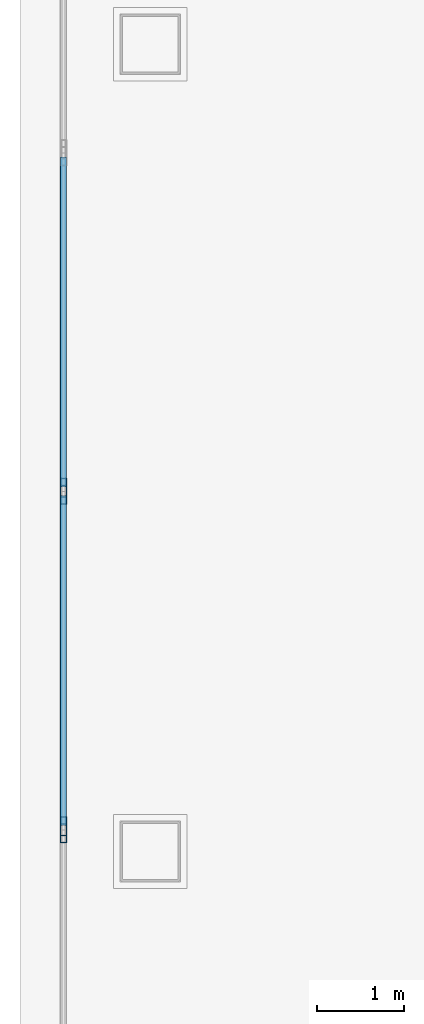
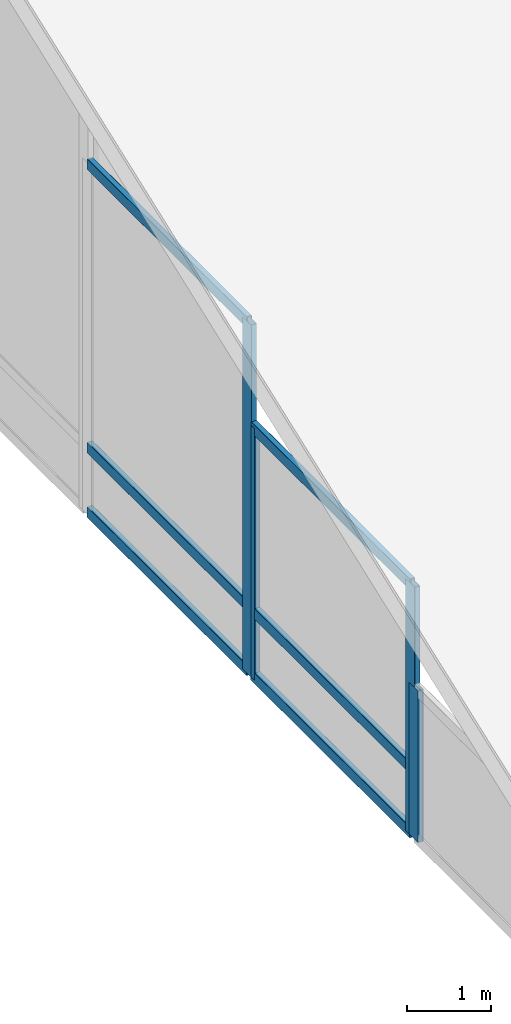
# One storey, part 4 of 12: 10 members, 3 elements without a shape of their own.
"""IFC4 building model written with IfcOpenShell, lengths in metres."""

import ifcopenshell
import ifcopenshell.guid

model = None  # the IFC model being written
_history = None  # IfcOwnerHistory: only IFC2X3 demands one
_inside = {}  # id of a spatial element -> (the spatial element, [elements in it])
_under = {}  # id of a project, library or spatial element -> (it, [spatial elements below it])
_declared = {}  # id of a project -> (the project, [libraries it declares])
_typed = {}  # id of a type object -> (the type object, [elements of that type])
_made_of = {}  # id of a material, layer set ... -> (it, [elements and type objects made of it])


def new_model(schema):
    """Start an empty IFC model of exactly this schema.

    Asked for "IFC4X3", IfcOpenShell would pick the latest addendum, in which some entities
    have other attributes; the version numbers below select the first issue.
    IFC2X3 requires an IfcOwnerHistory on every rooted entity: one is made here for all.
    """
    global model, _history
    if schema == "IFC4X3":
        model = ifcopenshell.file(schema_version=(4, 3, 0, 0))
    else:
        model = ifcopenshell.file(schema=schema)
    _inside.clear()
    _under.clear()
    _declared.clear()
    _typed.clear()
    _made_of.clear()
    _history = None
    if model.schema == "IFC2X3":
        org = make("IfcOrganization", Name="unknown")
        user = make(
            "IfcPersonAndOrganization",
            ThePerson=make("IfcPerson", FamilyName="unknown"),
            TheOrganization=org,
        )
        app = make(
            "IfcApplication",
            ApplicationDeveloper=org,
            Version="unknown",
            ApplicationFullName="unknown",
            ApplicationIdentifier="unknown",
        )
        _history = make(
            "IfcOwnerHistory",
            OwningUser=user,
            OwningApplication=app,
            ChangeAction="ADDED",
            CreationDate=0,
        )
    return model


def make(cls, **values):
    """One entity of the class cls with the attributes given. An attribute that is None is left unset."""
    return model.create_entity(
        cls, **{name: value for name, value in values.items() if value is not None}
    )


def rooted(cls, **values):
    """An entity with a GlobalId (a new one), such as an element, a storey or a relation."""
    return make(cls, GlobalId=ifcopenshell.guid.new(), OwnerHistory=_history, **values)


def si_unit(unit_type, name, prefix=None):
    """IfcSIUnit, for example si_unit("LENGTHUNIT", "METRE", prefix="MILLI")."""
    return make("IfcSIUnit", UnitType=unit_type, Prefix=prefix, Name=name)


def assignment(units):
    """IfcUnitAssignment: the units of a project."""
    return None if units is None else make("IfcUnitAssignment", Units=units)


def point(xyz):
    """IfcCartesianPoint."""
    return None if xyz is None else make("IfcCartesianPoint", Coordinates=xyz)


def direction(xyz):
    """IfcDirection."""
    return None if xyz is None else make("IfcDirection", DirectionRatios=xyz)


def frame(location, z_axis=None, x_axis=None):
    """IfcAxis2Placement3D, a coordinate frame: its origin and axes. An axis left out is left unset."""
    return make(
        "IfcAxis2Placement3D",
        Location=point(location),
        Axis=direction(z_axis),
        RefDirection=direction(x_axis),
    )


def frame_2d(location, x_axis=None):
    """IfcAxis2Placement2D, a coordinate frame in the plane: its origin and x axis."""
    return make(
        "IfcAxis2Placement2D", Location=point(location), RefDirection=direction(x_axis)
    )


def origin():
    """The frame at (0, 0, 0) with its axes left unset."""
    return frame((0.0, 0.0, 0.0))


def origin_2d():
    """The frame at (0, 0) in the plane with its x axis left unset."""
    return frame_2d((0.0, 0.0))


def place(relative_to, where):
    """IfcLocalPlacement: puts the frame where relative to a parent placement (None: the world)."""
    return make(
        "IfcLocalPlacement", PlacementRelTo=relative_to, RelativePlacement=where
    )


def context(
    kind, dimensions, precision=None, world=None, true_north=None, identifier=None
):
    """IfcGeometricRepresentationContext, for example the 3D "Model" context."""
    return make(
        "IfcGeometricRepresentationContext",
        ContextIdentifier=identifier,
        ContextType=kind,
        CoordinateSpaceDimension=dimensions,
        Precision=precision,
        WorldCoordinateSystem=world,
        TrueNorth=true_north,
    )


def subcontext(parent, identifier, kind, view, scale=None):
    """IfcGeometricRepresentationSubContext, for example "Body" below "Model"."""
    return make(
        "IfcGeometricRepresentationSubContext",
        ContextIdentifier=identifier,
        ContextType=kind,
        ParentContext=parent,
        TargetScale=scale,
        TargetView=view,
    )


def project(units=None, contexts=None):
    """IfcProject with its units and contexts."""
    return rooted(
        "IfcProject",
        Name="project",
        RepresentationContexts=contexts,
        UnitsInContext=assignment(units),
    )


def spatial(cls, under=None, at=None, **own):
    """A site, building, storey or space (cls), placed at a placement, below another one or the project."""
    s = rooted(cls, ObjectPlacement=at, **own)
    if under is not None:
        _under.setdefault(under.id(), (under, []))[1].append(s)
    return s


def profile(cls, at=None, kind="AREA", **sizes):
    """A parametric profile (cls). Its sizes go by their IFC names, for example OverallWidth=200.0."""
    return make(cls, ProfileType=kind, Position=at, **sizes)


def hollow_rectangle(**sizes):
    """IfcRectangleHollowProfileDef."""
    return profile("IfcRectangleHollowProfileDef", **sizes)


def extrude(swept, where, along, depth):
    """IfcExtrudedAreaSolid: the profile swept, set in the frame where, extruded along a direction by depth."""
    return make(
        "IfcExtrudedAreaSolid",
        SweptArea=swept,
        Position=where,
        ExtrudedDirection=direction(along),
        Depth=depth,
    )


def shape(context_of_items, identifier, shape_type, items):
    """IfcShapeRepresentation: the items that make up one representation, for example the "Body"."""
    return make(
        "IfcShapeRepresentation",
        ContextOfItems=context_of_items,
        RepresentationIdentifier=identifier,
        RepresentationType=shape_type,
        Items=items,
    )


def material(Name=None, Category=None):
    """IfcMaterial."""
    return make("IfcMaterial", Name=Name, Category=Category)


def material_profile(
    of_material, cross_section, Name=None, Category=None, Priority=None
):
    """IfcMaterialProfile: a cross section and its material."""
    return make(
        "IfcMaterialProfile",
        Name=Name,
        Material=of_material,
        Profile=cross_section,
        Priority=Priority,
        Category=Category,
    )


def profile_set(profiles, Name=None, composite=None):
    """IfcMaterialProfileSet."""
    return make(
        "IfcMaterialProfileSet",
        Name=Name,
        MaterialProfiles=profiles,
        CompositeProfile=composite,
    )


def made_of(thing, what):
    """Note that an element or type object is made of a material, layer set ...; save() writes the relation."""
    if what is not None:
        _made_of.setdefault(what.id(), (what, []))[1].append(thing)
    return thing


def type_object(cls, material=None, **own):
    """A type object (cls), such as IfcWallType, which elements share."""
    return made_of(rooted(cls, **own), material)


def element(
    cls,
    number,
    at=None,
    inside=None,
    cuts=None,
    type_object=None,
    material=None,
    context=None,
    identifier="Body",
    shape_type=None,
    held_by="IfcProductDefinitionShape",
    body=None,
    shapes=None,
    **own,
):
    """One element of the class cls, such as IfcWall. Its Tag is "e" and its number.

    at: its placement. inside: the storey or other place that contains it. cuts: it is an
    opening in that element (IfcRelVoidsElement). A single representation is given by context,
    identifier, shape_type and body (its items); several are given by shapes. held_by: the class
    of the entity that holds the representations. save() writes the other relations.
    """
    e = rooted(cls, Tag="e%d" % number, ObjectPlacement=at, **own)
    if body is not None:
        shapes = [shape(context, identifier, shape_type, body)]
    if shapes is not None:
        e.Representation = make(held_by, Representations=shapes)
    if inside is not None:
        _inside.setdefault(inside.id(), (inside, []))[1].append(e)
    if cuts is not None:
        rooted(
            "IfcRelVoidsElement", RelatingBuildingElement=cuts, RelatedOpeningElement=e
        )
    if type_object is not None:
        _typed.setdefault(type_object.id(), (type_object, []))[1].append(e)
    return made_of(e, material)


def aggregate(whole, parts):
    """IfcRelAggregates: a whole, such as a stair, and the parts it consists of."""
    return rooted("IfcRelAggregates", RelatingObject=whole, RelatedObjects=parts)


def save(model, path):
    """Write the relations noted so far, then the file.

    IfcRelAggregates (storeys below a building ...), IfcRelContainedInSpatialStructure (elements
    in a storey), IfcRelDefinesByType, IfcRelAssociatesMaterial and IfcRelDeclares: one each for
    every whole, place, type object, material and project.
    """
    for whole, parts in _under.values():
        aggregate(whole, parts)
    for where, things in _inside.values():
        rooted(
            "IfcRelContainedInSpatialStructure",
            RelatedElements=things,
            RelatingStructure=where,
        )
    for kind, things in _typed.values():
        rooted("IfcRelDefinesByType", RelatedObjects=things, RelatingType=kind)
    for what, things in _made_of.values():
        rooted("IfcRelAssociatesMaterial", RelatedObjects=things, RelatingMaterial=what)
    for by, libraries in _declared.values():
        rooted("IfcRelDeclares", RelatingContext=by, RelatedDefinitions=libraries)
    model.write(path)


model = new_model("IFC4")

# Units and contexts
model_context = context("Model", 3, precision=1e-05, world=origin(), true_north=direction((0.0, 1.0)))
body_context = subcontext(model_context, "Body", "Model", "MODEL_VIEW")
ifc_project = project(units=[si_unit("LENGTHUNIT", "METRE"), si_unit("AREAUNIT", "SQUARE_METRE"), si_unit("VOLUMEUNIT", "CUBIC_METRE"), si_unit("PLANEANGLEUNIT", "RADIAN"), si_unit("MASSUNIT", "GRAM", prefix="KILO")], contexts=[model_context])

# Site, building, storey
site_placement = place(None, origin())
site = spatial("IfcSite", under=ifc_project, at=site_placement, CompositionType="ELEMENT")
building_placement = place(site_placement, origin())
building = spatial("IfcBuilding", under=site, at=building_placement, Name="Noeulbin Bourse Tower", CompositionType="ELEMENT")
storey_placement = place(building_placement, frame((0.0, 0.0, 317.39990234375)))
storey = spatial("IfcBuildingStorey", under=building, at=storey_placement, Name="RF", CompositionType="ELEMENT", Elevation=317.39990234375)

# Curtain wall, member
ifc_material_1 = material(Name="Translucent Ceramic-Fritted Glass", Category="glass")
curtain_wall_type = type_object("IfcCurtainWallType", Name="CW-SYS-5", PredefinedType="NOTDEFINED", material=ifc_material_1)
curtain_wall_1_placement = place(storey_placement, origin())
curtain_wall_1 = element("IfcCurtainWall", 1, at=curtain_wall_1_placement, inside=storey, type_object=curtain_wall_type, Name="Unitised Curtain Wall CW-RF-CRN-W2", PredefinedType="NOTDEFINED")
ifc_material_2 = material(Name="Anodised Aluminium 6063-T6", Category="aluminium")
ifc_material_profile_1 = material_profile(ifc_material_2, hollow_rectangle(XDim=0.074951171875, YDim=0.219970703125, WallThickness=0.0048828125, InnerFilletRadius=0.00244140625, OuterFilletRadius=0.0048828125, at=origin_2d()), Name="ALU-MULL-75x220x5", Category="LoadBearing")
ifc_profile_set_1 = profile_set([ifc_material_profile_1], Name="Anodised Aluminium 6063-T6")
member_type_1 = type_object("IfcMemberType", Name="CW-SYS-5-MUL", PredefinedType="MULLION", material=ifc_profile_set_1)
member_1_placement = place(storey_placement, frame((12.5, 29.2099609375, -0.02001953125), z_axis=(0.0, 0.0, 1.0), x_axis=(1.0, 0.0, 0.0)))
member_1 = element("IfcMember", 2, at=member_1_placement, type_object=member_type_1, Name="Curtain Wall Mullion CW-RF-CRN-W2-M01", PredefinedType="MULLION", context=body_context, shape_type="SweptSolid", body=[
    extrude(hollow_rectangle(XDim=0.074951171875, YDim=0.219970703125, WallThickness=0.0048828125, InnerFilletRadius=0.00244140625, OuterFilletRadius=0.0048828125, at=origin_2d()), origin(), (0.0, 0.0, 1.0), 2.21484375),
])
aggregate(curtain_wall_1, [member_1])

# Curtain wall, members
curtain_wall_2_placement = place(storey_placement, origin())
curtain_wall_2 = element("IfcCurtainWall", 3, at=curtain_wall_2_placement, inside=storey, type_object=curtain_wall_type, Name="Unitised Curtain Wall CW-RF-CRN-W3", PredefinedType="NOTDEFINED")
member_2_placement = place(storey_placement, frame((12.5, 29.2900390625, -0.02001953125), z_axis=(0.0, 0.0, 1.0), x_axis=(1.0, 0.0, 0.0)))
member_2 = element("IfcMember", 4, at=member_2_placement, type_object=member_type_1, Name="Curtain Wall Mullion CW-RF-CRN-W3-M00", PredefinedType="MULLION", context=body_context, shape_type="SweptSolid", body=[
    extrude(hollow_rectangle(XDim=0.074951171875, YDim=0.219970703125, WallThickness=0.0048828125, InnerFilletRadius=0.00244140625, OuterFilletRadius=0.0048828125, at=origin_2d()), origin(), (0.0, 0.0, 1.0), 3.673095703125),
])
member_3_placement = place(storey_placement, frame((12.5, 33.110107421875, -0.02001953125), z_axis=(0.0, 0.0, 1.0), x_axis=(1.0, 0.0, 0.0)))
member_3 = element("IfcMember", 5, at=member_3_placement, type_object=member_type_1, Name="Curtain Wall Mullion CW-RF-CRN-W3-M01", PredefinedType="MULLION", context=body_context, shape_type="SweptSolid", body=[
    extrude(hollow_rectangle(XDim=0.074951171875, YDim=0.219970703125, WallThickness=0.0048828125, InnerFilletRadius=0.00244140625, OuterFilletRadius=0.0048828125, at=origin_2d()), origin(), (0.0, 0.0, 1.0), 3.673095703125),
])

# Curtain wall, member
curtain_wall_3_placement = place(storey_placement, origin())
curtain_wall_3 = element("IfcCurtainWall", 6, at=curtain_wall_3_placement, inside=storey, type_object=curtain_wall_type, Name="Unitised Curtain Wall CW-RF-CRN-W4", PredefinedType="NOTDEFINED")
member_4_placement = place(storey_placement, frame((12.5, 33.18994140625, -0.02001953125), z_axis=(0.0, 0.0, 1.0), x_axis=(1.0, 0.0, 0.0)))
member_4 = element("IfcMember", 7, at=member_4_placement, type_object=member_type_1, Name="Curtain Wall Mullion CW-RF-CRN-W4-M00", PredefinedType="MULLION", context=body_context, shape_type="SweptSolid", body=[
    extrude(hollow_rectangle(XDim=0.074951171875, YDim=0.219970703125, WallThickness=0.0048828125, InnerFilletRadius=0.00244140625, OuterFilletRadius=0.0048828125, at=origin_2d()), origin(), (0.0, 0.0, 1.0), 5.131103515625),
])

# Member
ifc_material_profile_2 = material_profile(ifc_material_2, hollow_rectangle(XDim=0.074951171875, YDim=0.159912109375, WallThickness=0.0048828125, InnerFilletRadius=0.00244140625, OuterFilletRadius=0.0048828125, at=origin_2d()), Name="ALU-TRAN-75x160x5", Category="LoadBearing")
ifc_profile_set_2 = profile_set([ifc_material_profile_2], Name="Anodised Aluminium 6063-T6")
member_type_2 = type_object("IfcMemberType", Name="CW-SYS-5-TRN", PredefinedType="USERDEFINED", material=ifc_profile_set_2)
member_5_placement = place(storey_placement, frame((12.5, 29.300048828125, 0.010009765625), z_axis=(0.0, 1.0, 0.0), x_axis=(-1.0, 0.0, 0.0)))
member_5 = element("IfcMember", 8, at=member_5_placement, type_object=member_type_2, Name="Curtain Wall Transom CW-RF-CRN-W3-T00", ObjectType="TRANSOM", PredefinedType="USERDEFINED", context=body_context, shape_type="SweptSolid", body=[
    extrude(hollow_rectangle(XDim=0.074951171875, YDim=0.159912109375, WallThickness=0.0048828125, InnerFilletRadius=0.00244140625, OuterFilletRadius=0.0048828125, at=origin_2d()), origin(), (0.0, 0.0, 1.0), 3.800048828125),
])

member_6_placement = place(storey_placement, frame((12.5, 29.300048828125, 0.9501953125), z_axis=(0.0, 1.0, 0.0), x_axis=(-1.0, 0.0, 0.0)))
member_6 = element("IfcMember", 9, at=member_6_placement, type_object=member_type_2, Name="Curtain Wall Transom CW-RF-CRN-W3-T01", ObjectType="TRANSOM", PredefinedType="USERDEFINED", context=body_context, shape_type="SweptSolid", body=[
    extrude(hollow_rectangle(XDim=0.074951171875, YDim=0.159912109375, WallThickness=0.0048828125, InnerFilletRadius=0.00244140625, OuterFilletRadius=0.0048828125, at=origin_2d()), origin(), (0.0, 0.0, 1.0), 3.800048828125),
])

member_7_placement = place(storey_placement, frame((12.5, 29.300048828125, 3.623046875), z_axis=(0.0, 1.0, 0.0), x_axis=(-1.0, 0.0, 0.0)))
member_7 = element("IfcMember", 10, at=member_7_placement, type_object=member_type_2, Name="Curtain Wall Transom CW-RF-CRN-W3-T02", ObjectType="TRANSOM", PredefinedType="USERDEFINED", context=body_context, shape_type="SweptSolid", body=[
    extrude(hollow_rectangle(XDim=0.074951171875, YDim=0.159912109375, WallThickness=0.0048828125, InnerFilletRadius=0.00244140625, OuterFilletRadius=0.0048828125, at=origin_2d()), origin(), (0.0, 0.0, 1.0), 3.800048828125),
])

aggregate(curtain_wall_2, [member_2, member_3, member_5, member_6, member_7])

member_8_placement = place(storey_placement, frame((12.5, 33.199951171875, 0.010009765625), z_axis=(0.0, 1.0, 0.0), x_axis=(-1.0, 0.0, 0.0)))
member_8 = element("IfcMember", 11, at=member_8_placement, type_object=member_type_2, Name="Curtain Wall Transom CW-RF-CRN-W4-T00", ObjectType="TRANSOM", PredefinedType="USERDEFINED", context=body_context, shape_type="SweptSolid", body=[
    extrude(hollow_rectangle(XDim=0.074951171875, YDim=0.159912109375, WallThickness=0.0048828125, InnerFilletRadius=0.00244140625, OuterFilletRadius=0.0048828125, at=origin_2d()), origin(), (0.0, 0.0, 1.0), 3.800048828125),
])

member_9_placement = place(storey_placement, frame((12.5, 33.199951171875, 0.9501953125), z_axis=(0.0, 1.0, 0.0), x_axis=(-1.0, 0.0, 0.0)))
member_9 = element("IfcMember", 12, at=member_9_placement, type_object=member_type_2, Name="Curtain Wall Transom CW-RF-CRN-W4-T01", ObjectType="TRANSOM", PredefinedType="USERDEFINED", context=body_context, shape_type="SweptSolid", body=[
    extrude(hollow_rectangle(XDim=0.074951171875, YDim=0.159912109375, WallThickness=0.0048828125, InnerFilletRadius=0.00244140625, OuterFilletRadius=0.0048828125, at=origin_2d()), origin(), (0.0, 0.0, 1.0), 3.800048828125),
])

member_10_placement = place(storey_placement, frame((12.5, 33.199951171875, 5.081298828125), z_axis=(0.0, 1.0, 0.0), x_axis=(-1.0, 0.0, 0.0)))
member_10 = element("IfcMember", 13, at=member_10_placement, type_object=member_type_2, Name="Curtain Wall Transom CW-RF-CRN-W4-T02", ObjectType="TRANSOM", PredefinedType="USERDEFINED", context=body_context, shape_type="SweptSolid", body=[
    extrude(hollow_rectangle(XDim=0.074951171875, YDim=0.159912109375, WallThickness=0.0048828125, InnerFilletRadius=0.00244140625, OuterFilletRadius=0.0048828125, at=origin_2d()), origin(), (0.0, 0.0, 1.0), 3.800048828125),
])

aggregate(curtain_wall_3, [member_4, member_8, member_9, member_10])

save(model, "model.ifc")
